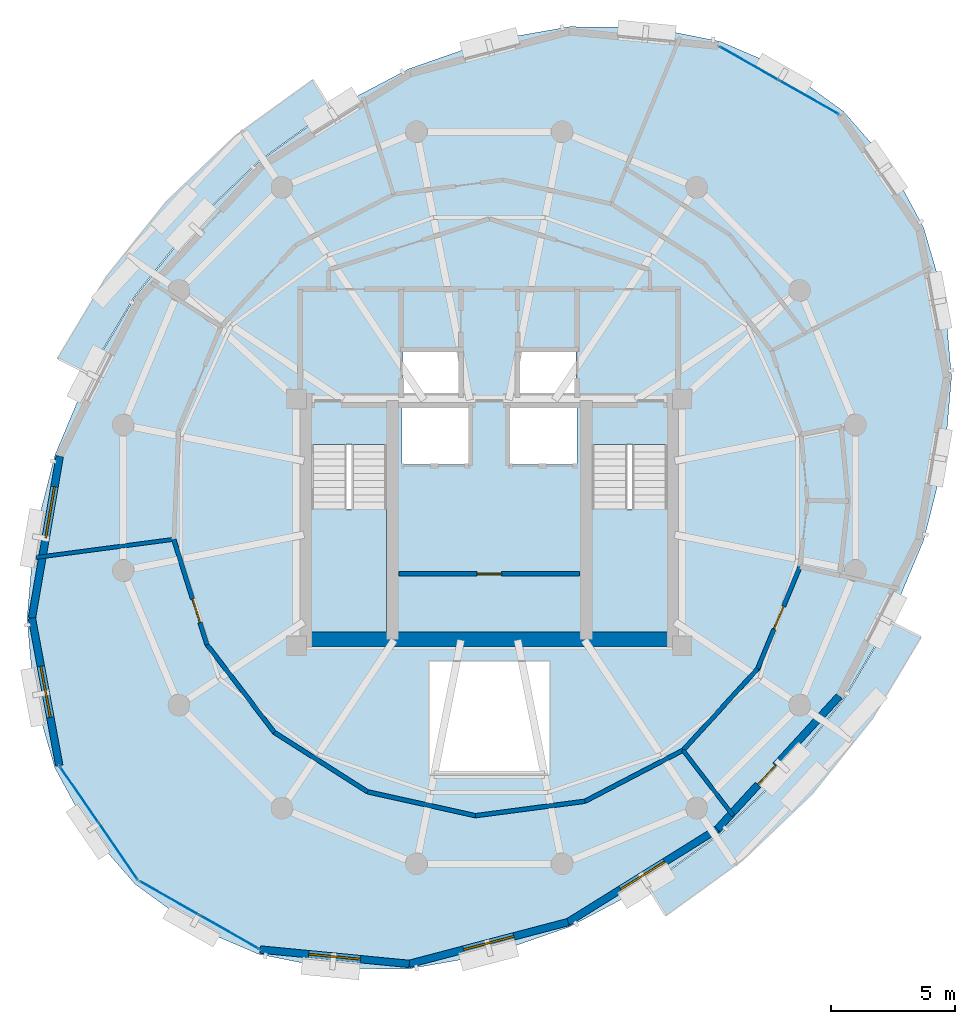
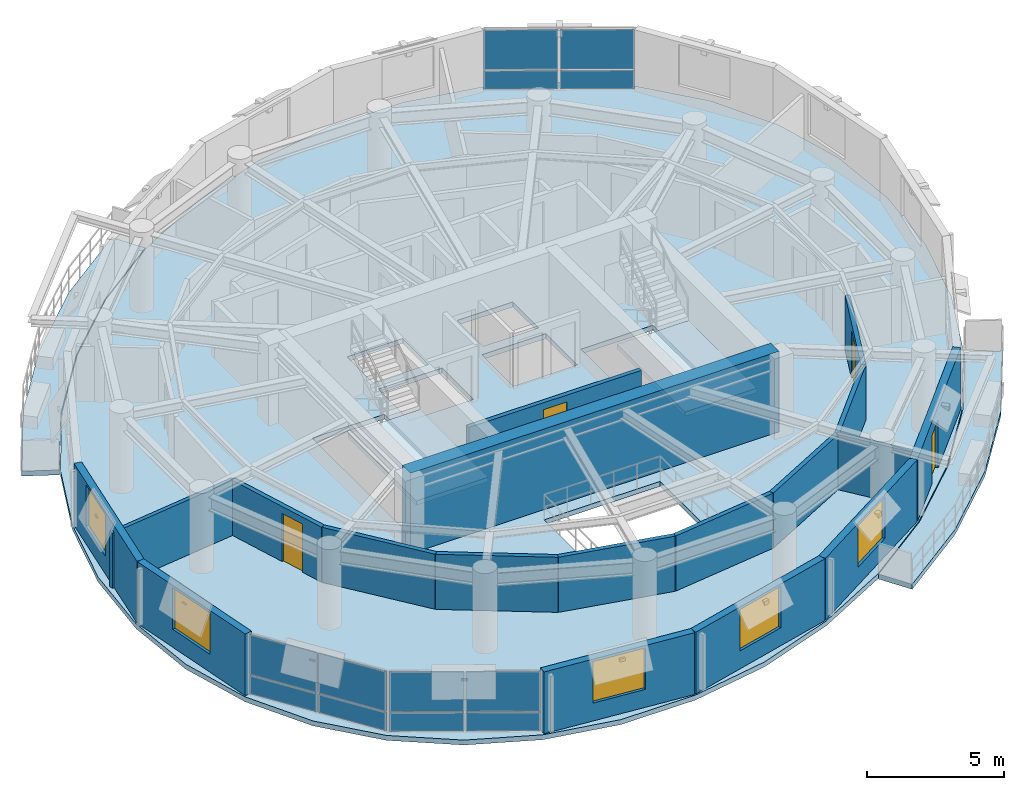
# One storey, part 7 of 12: 18 walls, 12 plates, 5 slabs, 5 windows, 4 doors, 9 openings, 5 elements without a shape of their own.
"""IFC4 building model written with IfcOpenShell, lengths in metres."""

from ifc_helpers import new_model, si_unit, direction, frame, frame_2d, origin, origin_2d, place, context, subcontext, project, spatial, polyline, rectangle, outline, extrude, material, layer, layer_set, type_object, element, fill, aggregate, save


model = new_model("IFC4")

# Units and contexts
model_context = context("Model", 3, precision=1e-05, world=origin(), true_north=direction((0.0, 1.0)))
body_context = subcontext(model_context, "Body", "Model", "MODEL_VIEW")
ifc_project = project(units=[si_unit("LENGTHUNIT", "METRE"), si_unit("AREAUNIT", "SQUARE_METRE"), si_unit("VOLUMEUNIT", "CUBIC_METRE"), si_unit("PLANEANGLEUNIT", "RADIAN"), si_unit("MASSUNIT", "GRAM", prefix="KILO"), si_unit("THERMODYNAMICTEMPERATUREUNIT", "KELVIN"), si_unit("POWERUNIT", "WATT")], contexts=[model_context])

# Site, building, storey
site_placement = place(None, origin())
site = spatial("IfcSite", under=ifc_project, at=site_placement, CompositionType="ELEMENT")
building_placement = place(site_placement, origin())
building = spatial("IfcBuilding", under=site, at=building_placement, Name="Ocrelia Relay Tower", CompositionType="ELEMENT")
storey_placement = place(building_placement, frame((0.0, 0.0, 230.39990234375)))
storey = spatial("IfcBuildingStorey", under=building, at=storey_placement, Name="L56", CompositionType="ELEMENT", Elevation=230.39990234375)

# Curtain wall, plates
ifc_material_1 = material(Name="Aluminium and solar-control low-E glass", Category="aluminium")
ifc_layer_1 = layer(ifc_material_1, 0.179931640625, Name="Aluminium and solar-control low-E glass")
ifc_layer_set_1 = layer_set([ifc_layer_1], Name="Aluminium and solar-control low-E glass")
curtain_wall_type = type_object("IfcCurtainWallType", Name="CW-SYS-Z4-EXEC", PredefinedType="NOTDEFINED", material=ifc_layer_set_1)
curtain_wall_1_placement = place(storey_placement, origin())
curtain_wall_1 = element("IfcCurtainWall", 1, at=curtain_wall_1_placement, inside=storey, type_object=curtain_wall_type, Name="L56 Elliptical Tower Curtain Wall Bay 01", PredefinedType="NOTDEFINED")
ifc_material_2 = material(Name="Clear double-glazed low-E glass", Category="glass")
ifc_layer_2 = layer(ifc_material_2, 0.031982421875, Name="Clear double-glazed low-E glass")
ifc_layer_set_2 = layer_set([ifc_layer_2], Name="Clear double-glazed low-E glass")
plate_type = type_object("IfcPlateType", Name="CW-SYS-Z4-EXEC-PNL", PredefinedType="CURTAIN_PANEL", material=ifc_layer_set_2)
plate_1_placement = place(storey_placement, frame((46.9443359375, 42.1875, 0.06005859375), z_axis=(0.0, 0.0, 1.0), x_axis=(-0.869945755345, 0.493147424972, 0.0)))
plate_1 = element("IfcPlate", 2, at=plate_1_placement, type_object=plate_type, Name="CW-Z4 panel 1.1", PredefinedType="CURTAIN_PANEL", context=body_context, shape_type="SweptSolid", body=[
    extrude(rectangle(XDim=2.7275390625, YDim=0.031982421875, at=origin_2d()), origin(), (0.0, 0.0, 1.0), 0.81005859375),
])
plate_2_placement = place(storey_placement, frame((46.9443359375, 42.1875, 0.93017578125), z_axis=(0.0, 0.0, 1.0), x_axis=(-0.869945755345, 0.493147424972, 0.0)))
plate_2 = element("IfcPlate", 3, at=plate_2_placement, type_object=plate_type, Name="CW-Z4 panel 1.2", PredefinedType="CURTAIN_PANEL", context=body_context, shape_type="SweptSolid", body=[
    extrude(rectangle(XDim=2.7275390625, YDim=0.031982421875, at=origin_2d()), origin(), (0.0, 0.0, 1.0), 1.77001953125),
])
plate_3_placement = place(storey_placement, frame((44.514892578125, 43.564697265625, 0.06005859375), z_axis=(0.0, 0.0, 1.0), x_axis=(-0.869945755345, 0.493147424972, 0.0)))
plate_3 = element("IfcPlate", 4, at=plate_3_placement, type_object=plate_type, Name="CW-Z4 panel 2.1", PredefinedType="CURTAIN_PANEL", context=body_context, shape_type="SweptSolid", body=[
    extrude(rectangle(XDim=2.7275390625, YDim=0.031982421875, at=origin_2d()), origin(), (0.0, 0.0, 1.0), 0.81005859375),
])
plate_4_placement = place(storey_placement, frame((44.514892578125, 43.564697265625, 0.93017578125), z_axis=(0.0, 0.0, 1.0), x_axis=(-0.869945755345, 0.493147424972, 0.0)))
plate_4 = element("IfcPlate", 5, at=plate_4_placement, type_object=plate_type, Name="CW-Z4 panel 2.2", PredefinedType="CURTAIN_PANEL", context=body_context, shape_type="SweptSolid", body=[
    extrude(rectangle(XDim=2.7275390625, YDim=0.031982421875, at=origin_2d()), origin(), (0.0, 0.0, 1.0), 1.77001953125),
])
aggregate(curtain_wall_1, [plate_1, plate_2, plate_3, plate_4])

curtain_wall_2_placement = place(storey_placement, origin())
curtain_wall_2 = element("IfcCurtainWall", 6, at=curtain_wall_2_placement, inside=storey, type_object=curtain_wall_type, Name="L56 Elliptical Tower Curtain Wall Bay 09", PredefinedType="NOTDEFINED")
plate_5_placement = place(storey_placement, frame((17.418701171875, 13.994140625, 0.06005859375), z_axis=(0.0, 0.0, 1.0), x_axis=(0.567086774101, -0.823658054438, 0.0)))
plate_5 = element("IfcPlate", 7, at=plate_5_placement, type_object=plate_type, Name="CW-Z4 panel 1.1", PredefinedType="CURTAIN_PANEL", context=body_context, shape_type="SweptSolid", body=[
    extrude(rectangle(XDim=2.7275390625, YDim=0.031982421875, at=origin_2d()), origin(), (0.0, 0.0, 1.0), 0.81005859375),
])
plate_6_placement = place(storey_placement, frame((17.418701171875, 13.994140625, 0.93017578125), z_axis=(0.0, 0.0, 1.0), x_axis=(0.567086774101, -0.823658054438, 0.0)))
plate_6 = element("IfcPlate", 8, at=plate_6_placement, type_object=plate_type, Name="CW-Z4 panel 1.2", PredefinedType="CURTAIN_PANEL", context=body_context, shape_type="SweptSolid", body=[
    extrude(rectangle(XDim=2.7275390625, YDim=0.031982421875, at=origin_2d()), origin(), (0.0, 0.0, 1.0), 1.77001953125),
])
plate_7_placement = place(storey_placement, frame((19.00244140625, 11.694091796875, 0.06005859375), z_axis=(0.0, 0.0, 1.0), x_axis=(0.567086774101, -0.823658054438, 0.0)))
plate_7 = element("IfcPlate", 9, at=plate_7_placement, type_object=plate_type, Name="CW-Z4 panel 2.1", PredefinedType="CURTAIN_PANEL", context=body_context, shape_type="SweptSolid", body=[
    extrude(rectangle(XDim=2.7275390625, YDim=0.031982421875, at=origin_2d()), origin(), (0.0, 0.0, 1.0), 0.81005859375),
])
plate_8_placement = place(storey_placement, frame((19.00244140625, 11.694091796875, 0.93017578125), z_axis=(0.0, 0.0, 1.0), x_axis=(0.567086774101, -0.823658054438, 0.0)))
plate_8 = element("IfcPlate", 10, at=plate_8_placement, type_object=plate_type, Name="CW-Z4 panel 2.2", PredefinedType="CURTAIN_PANEL", context=body_context, shape_type="SweptSolid", body=[
    extrude(rectangle(XDim=2.7275390625, YDim=0.031982421875, at=origin_2d()), origin(), (0.0, 0.0, 1.0), 1.77001953125),
])
aggregate(curtain_wall_2, [plate_5, plate_6, plate_7, plate_8])

curtain_wall_3_placement = place(storey_placement, origin())
curtain_wall_3 = element("IfcCurtainWall", 11, at=curtain_wall_3_placement, inside=storey, type_object=curtain_wall_type, Name="L56 Elliptical Tower Curtain Wall Bay 10", PredefinedType="NOTDEFINED")
plate_9_placement = place(storey_placement, frame((21.0556640625, 9.8125, 0.06005859375), z_axis=(0.0, 0.0, 1.0), x_axis=(0.869945755345, -0.493147424972, 0.0)))
plate_9 = element("IfcPlate", 12, at=plate_9_placement, type_object=plate_type, Name="CW-Z4 panel 1.1", PredefinedType="CURTAIN_PANEL", context=body_context, shape_type="SweptSolid", body=[
    extrude(rectangle(XDim=2.7275390625, YDim=0.031982421875, at=origin_2d()), origin(), (0.0, 0.0, 1.0), 0.81005859375),
])
plate_10_placement = place(storey_placement, frame((21.0556640625, 9.8125, 0.93017578125), z_axis=(0.0, 0.0, 1.0), x_axis=(0.869945755345, -0.493147424972, 0.0)))
plate_10 = element("IfcPlate", 13, at=plate_10_placement, type_object=plate_type, Name="CW-Z4 panel 1.2", PredefinedType="CURTAIN_PANEL", context=body_context, shape_type="SweptSolid", body=[
    extrude(rectangle(XDim=2.7275390625, YDim=0.031982421875, at=origin_2d()), origin(), (0.0, 0.0, 1.0), 1.77001953125),
])
plate_11_placement = place(storey_placement, frame((23.485107421875, 8.435302734375, 0.06005859375), z_axis=(0.0, 0.0, 1.0), x_axis=(0.869945755345, -0.493147424972, 0.0)))
plate_11 = element("IfcPlate", 14, at=plate_11_placement, type_object=plate_type, Name="CW-Z4 panel 2.1", PredefinedType="CURTAIN_PANEL", context=body_context, shape_type="SweptSolid", body=[
    extrude(rectangle(XDim=2.7275390625, YDim=0.031982421875, at=origin_2d()), origin(), (0.0, 0.0, 1.0), 0.81005859375),
])
plate_12_placement = place(storey_placement, frame((23.485107421875, 8.435302734375, 0.93017578125), z_axis=(0.0, 0.0, 1.0), x_axis=(0.869945755345, -0.493147424972, 0.0)))
plate_12 = element("IfcPlate", 15, at=plate_12_placement, type_object=plate_type, Name="CW-Z4 panel 2.2", PredefinedType="CURTAIN_PANEL", context=body_context, shape_type="SweptSolid", body=[
    extrude(rectangle(XDim=2.7275390625, YDim=0.031982421875, at=origin_2d()), origin(), (0.0, 0.0, 1.0), 1.77001953125),
])
aggregate(curtain_wall_3, [plate_9, plate_10, plate_11, plate_12])

# Slabs
ifc_material_3 = material(Name="Precast concrete C40/50", Category="concrete")
ifc_layer_3 = layer(ifc_material_3, 0.219970703125, Name="Precast concrete C40/50")
ifc_layer_set_3 = layer_set([ifc_layer_3], Name="Precast concrete C40/50")
slab_type_1 = type_object("IfcSlabType", Name="SL-BALC-220", PredefinedType="FLOOR", material=ifc_layer_set_3)
slab_1_placement = place(storey_placement, frame((0.0, 0.0, -0.219970703125)))
element("IfcSlab", 16, at=slab_1_placement, inside=storey, type_object=slab_type_1, Name="L56 Planted Loggia Balcony B1", PredefinedType="FLOOR", context=body_context, shape_type="SweptSolid", body=[
    extrude(outline(polyline([(27.58984375, 41.719482421875), (26.111328125, 40.65087890625), (24.6328125, 39.58203125), (21.960205078125, 37.032470703125), (19.6533203125, 34.147705078125), (18.71728515625, 32.581787109375), (17.78173828125, 31.015625), (16.5380859375, 31.644287109375), (17.523193359375, 33.293212890625), (18.508544921875, 34.942138671875), (20.93310546875, 37.9736328125), (23.74169921875, 40.6533203125), (25.298583984375, 41.7783203125), (26.855224609375, 42.903564453125), (27.58984375, 41.719482421875)])), origin(), (0.0, 0.0, 1.0), 0.219970703125),
])
slab_2_placement = place(storey_placement, frame((0.0, 0.0, -0.219970703125)))
element("IfcSlab", 17, at=slab_2_placement, inside=storey, type_object=slab_type_1, Name="L56 Planted Loggia Balcony B2", PredefinedType="FLOOR", context=body_context, shape_type="SweptSolid", body=[
    extrude(outline(polyline([(40.41015625, 10.280517578125), (41.888671875, 11.34912109375), (43.3671875, 12.41796875), (46.039794921875, 14.967529296875), (48.3466796875, 17.852294921875), (49.28271484375, 19.418212890625), (50.21826171875, 20.984375), (51.4619140625, 20.355712890625), (50.476806640625, 18.706787109375), (49.491455078125, 17.057861328125), (47.06689453125, 14.0263671875), (44.25830078125, 11.3466796875), (42.701416015625, 10.2216796875), (41.144775390625, 9.096435546875), (40.41015625, 10.280517578125)])), origin(), (0.0, 0.0, 1.0), 0.219970703125),
])
ifc_material_4 = material(Name="Concrete C50/60", Category="concrete")
ifc_layer_4 = layer(ifc_material_4, 0.219970703125, Name="Concrete C50/60")
ifc_layer_set_4 = layer_set([ifc_layer_4], Name="Concrete C50/60")
slab_type_2 = type_object("IfcSlabType", Name="SL-FLR-220", PredefinedType="FLOOR", material=ifc_layer_set_4)
slab_3_placement = place(storey_placement, frame((0.0, 0.0, -0.219970703125)))
element("IfcSlab", 18, at=slab_3_placement, inside=storey, type_object=slab_type_2, Name="L56 Elliptical Tower Floor Slab", PredefinedType="FLOOR", context=body_context, shape_type="SweptSolid", body=[
    extrude(outline(polyline([(48.322509765625, 41.63037109375), (46.01806640625, 43.30517578125), (43.348388671875, 44.4541015625), (40.394775390625, 45.042236328125), (37.246826171875, 45.052001953125), (34.000244140625, 44.482666015625), (30.753662109375, 43.351806640625), (27.605712890625, 41.69384765625), (24.652099609375, 39.55908203125), (21.982421875, 37.01220703125), (19.677978515625, 34.130615234375), (17.80859375, 31.002197265625), (16.43115234375, 27.7216796875), (15.587646484375, 24.388916015625), (15.303466796875, 21.10498046875), (15.58740234375, 17.9697265625), (16.430908203125, 15.07861328125), (17.80810546875, 12.519287109375), (19.677490234375, 10.36962890625), (21.98193359375, 8.69482421875), (24.651611328125, 7.5458984375), (27.605224609375, 6.957763671875), (30.753173828125, 6.947998046875), (33.999755859375, 7.517333984375), (37.246337890625, 8.648193359375), (40.394287109375, 10.30615234375), (43.347900390625, 12.44091796875), (46.017578125, 14.98779296875), (48.322021484375, 17.869384765625), (50.19140625, 20.997802734375), (51.56884765625, 24.2783203125), (52.412353515625, 27.611083984375), (52.696533203125, 30.89501953125), (52.41259765625, 34.0302734375), (51.569091796875, 36.92138671875), (50.19189453125, 39.480712890625), (48.322509765625, 41.63037109375)]), holes=[polyline([(26.81005859375, 28.14990234375), (26.81005859375, 20.550048828125), (29.85009765625, 20.550048828125), (29.85009765625, 28.14990234375), (26.81005859375, 28.14990234375)]), polyline([(38.159912109375, 28.14990234375), (38.159912109375, 20.550048828125), (41.199951171875, 20.550048828125), (41.199951171875, 28.14990234375), (38.159912109375, 28.14990234375)]), polyline([(30.4599609375, 27.35009765625), (33.159912109375, 27.35009765625), (33.159912109375, 29.64990234375), (30.4599609375, 29.64990234375), (30.4599609375, 27.35009765625)]), polyline([(34.840087890625, 27.35009765625), (37.5400390625, 27.35009765625), (37.5400390625, 29.64990234375), (34.840087890625, 29.64990234375), (34.840087890625, 27.35009765625)]), polyline([(30.5, 30.10009765625), (32.85009765625, 30.10009765625), (32.85009765625, 32.0), (30.5, 32.0), (30.5, 30.10009765625)]), polyline([(35.14990234375, 30.10009765625), (37.5, 30.10009765625), (37.5, 32.0), (35.14990234375, 32.0), (35.14990234375, 30.10009765625)]), polyline([(31.550048828125, 14.800048828125), (36.449951171875, 14.800048828125), (36.449951171875, 19.39990234375), (31.550048828125, 19.39990234375), (31.550048828125, 14.800048828125)])]), origin(), (0.0, 0.0, 1.0), 0.219970703125),
])

# Stair, slab
stair_type = type_object("IfcStairType", Name="ST-DL-1420-R180", PredefinedType="HALF_TURN_STAIR", material=ifc_material_4)
stair_1_placement = place(storey_placement, origin())
stair_1 = element("IfcStair", 19, at=stair_1_placement, inside=storey, type_object=stair_type, Name="L56 West Core Exit Stair ST1", PredefinedType="HALF_TURN_STAIR")
ifc_layer_5 = layer(ifc_material_4, 0.199951171875, Name="Concrete C50/60")
ifc_layer_set_5 = layer_set([ifc_layer_5], Name="Concrete C50/60")
slab_type_3 = type_object("IfcSlabType", Name="SL-LANDING-200", PredefinedType="LANDING", material=ifc_layer_set_5)
slab_4_placement = place(storey_placement, frame((0.0, 0.0, 1.60009765625)))
slab_4 = element("IfcSlab", 20, at=slab_4_placement, type_object=slab_type_3, Name="ST1 landing 1", PredefinedType="LANDING", context=body_context, shape_type="SweptSolid", body=[
    extrude(outline(polyline([(26.81005859375, 25.5400390625), (26.81005859375, 20.550048828125), (29.85009765625, 20.550048828125), (29.85009765625, 25.5400390625), (26.81005859375, 25.5400390625)])), origin(), (0.0, 0.0, 1.0), 0.199951171875),
])
aggregate(stair_1, [slab_4])

stair_2_placement = place(storey_placement, origin())
stair_2 = element("IfcStair", 21, at=stair_2_placement, inside=storey, type_object=stair_type, Name="L56 East Core Exit Stair ST2", PredefinedType="HALF_TURN_STAIR")
slab_5_placement = place(storey_placement, frame((0.0, 0.0, 1.60009765625)))
slab_5 = element("IfcSlab", 22, at=slab_5_placement, type_object=slab_type_3, Name="ST2 landing 1", PredefinedType="LANDING", context=body_context, shape_type="SweptSolid", body=[
    extrude(outline(polyline([(38.159912109375, 25.5400390625), (38.159912109375, 20.550048828125), (41.199951171875, 20.550048828125), (41.199951171875, 25.5400390625), (38.159912109375, 25.5400390625)])), origin(), (0.0, 0.0, 1.0), 0.199951171875),
])
aggregate(stair_2, [slab_5])

# Wall
ifc_layer_6 = layer(ifc_material_4, 0.60009765625, Name="Concrete C50/60")
ifc_layer_set_6 = layer_set([ifc_layer_6], Name="Concrete C50/60")
wall_type_1 = type_object("IfcWallType", Name="CW-CORE-600B", PredefinedType="SHEAR", material=ifc_layer_set_6)
wall_1_placement = place(storey_placement, frame((26.221923828125, 20.261962890625, 0.0), z_axis=(0.0, 0.0, 1.0), x_axis=(1.0, 0.0, 0.0)))
element("IfcWall", 23, at=wall_1_placement, inside=storey, type_object=wall_type_1, Name="L56 Core Shear Wall S", PredefinedType="SHEAR", context=body_context, shape_type="SweptSolid", body=[
    extrude(rectangle(XDim=15.566162109375, YDim=0.60009765625, at=frame_2d((7.783203125, 0.0))), origin(), (0.0, 0.0, 1.0), 3.60009765625),
])

# Wall, opening, door
ifc_material_5 = material(Name="Gypsum Fireboard Partition EI60", Category="gypsum")
ifc_layer_7 = layer(ifc_material_5, 0.179931640625, Name="Gypsum Fireboard Partition EI60")
ifc_layer_set_7 = layer_set([ifc_layer_7], Name="Gypsum Fireboard Partition EI60")
wall_type_2 = type_object("IfcWallType", Name="W-CORR-EI60-180", PredefinedType="PARTITIONING", material=ifc_layer_set_7)
wall_2_placement = place(storey_placement, frame((30.35009765625, 22.919921875, 0.0), z_axis=(0.0, 0.0, 1.0), x_axis=(1.0, 0.0, 0.0)))
wall_2 = element("IfcWall", 24, at=wall_2_placement, inside=storey, type_object=wall_type_2, Name="L56 Reclaimed Core Room Partition", PredefinedType="PARTITIONING", context=body_context, shape_type="SweptSolid", body=[
    extrude(rectangle(XDim=7.2998046875, YDim=0.179931640625, at=frame_2d((3.64990234375, 0.0))), origin(), (0.0, 0.0, 1.0), 2.460205078125),
])
opening_1_placement = place(wall_2_placement, frame((3.14990234375, 0.0, 0.0)))
opening_1 = element("IfcOpeningElement", 25, at=opening_1_placement, cuts=wall_2, Name="Opening D-RM100", PredefinedType="OPENING", context=body_context, shape_type="SweptSolid", body=[
    extrude(rectangle(XDim=1.0, YDim=2.14990234375, at=frame_2d((0.5, 1.074951171875))), frame((0.0, 0.10009765625, 0.0), z_axis=(0.0, -1.0, 0.0), x_axis=(1.0, 0.0, 0.0)), (0.0, 0.0, 1.0), 0.199951171875),
])
ifc_material_6 = material(Name="Acoustic oak veneer fire door", Category="wood")
door_type_1 = type_object("IfcDoorType", Name="DR-ROOM-FD60-1000", OperationType="NOTDEFINED", PredefinedType="DOOR", material=ifc_material_6)
door_1_placement = place(opening_1_placement, origin())
door_1 = element("IfcDoor", 26, at=door_1_placement, inside=storey, type_object=door_type_1, Name="L56 Calibration Laboratory Door", OperationType="SINGLE_SWING_RIGHT", OverallHeight=2.14990234375, OverallWidth=1.0, PredefinedType="DOOR", context=body_context, shape_type="SweptSolid", body=[
    extrude(rectangle(XDim=1.0, YDim=2.14990234375, at=frame_2d((0.5, 1.074951171875))), frame((0.0, 0.02490234375, 0.0), z_axis=(0.0, -1.0, 0.0), x_axis=(1.0, 0.0, 0.0)), (0.0, 0.0, 1.0), 0.050048828125),
])
fill(opening_1, door_1)

wall_3_placement = place(storey_placement, frame((21.239990234375, 24.320068359375, 0.0), z_axis=(0.0, 0.0, 1.0), x_axis=(0.300749676553, -0.953703115258, 0.0)))
wall_3 = element("IfcWall", 27, at=wall_3_placement, inside=storey, type_object=wall_type_2, Name="L56 International Office F Corridor Partition 1", PredefinedType="PARTITIONING", context=body_context, shape_type="SweptSolid", body=[
    extrude(rectangle(XDim=4.4697265625, YDim=0.179931640625, at=frame_2d((2.23486328125, 0.0))), origin(), (0.0, 0.0, 1.0), 2.460205078125),
])
opening_2_placement = place(wall_3_placement, frame((2.52734375, 0.0, 0.0)))
opening_2 = element("IfcOpeningElement", 28, at=opening_2_placement, cuts=wall_3, Name="Opening D-RM100", PredefinedType="OPENING", context=body_context, shape_type="SweptSolid", body=[
    extrude(rectangle(XDim=1.0, YDim=2.14990234375, at=frame_2d((0.5, 1.074951171875))), frame((0.0, 0.10009765625, 0.0), z_axis=(0.0, -1.0, 0.0), x_axis=(1.0, 0.0, 0.0)), (0.0, 0.0, 1.0), 0.199951171875),
])
door_2_placement = place(opening_2_placement, origin())
door_2 = element("IfcDoor", 29, at=door_2_placement, inside=storey, type_object=door_type_1, Name="L56 International Office F Entrance Door", OperationType="SINGLE_SWING_LEFT", OverallHeight=2.14990234375, OverallWidth=1.0, PredefinedType="DOOR", context=body_context, shape_type="SweptSolid", body=[
    extrude(rectangle(XDim=1.0, YDim=2.14990234375, at=frame_2d((0.5, 1.074951171875))), frame((0.0, 0.02490234375, 0.0), z_axis=(0.0, -1.0, 0.0), x_axis=(1.0, 0.0, 0.0)), (0.0, 0.0, 1.0), 0.050048828125),
])
fill(opening_2, door_2)

# Walls
for number, where, z_axis, x_axis, name in (
    (30, (22.584228515625, 20.057373046875, 0.0), (0.0, 0.0, 1.0), (0.608746835117, -0.793364538365, 0.0), "L56 International Office F Corridor Partition 2"),
    (31, (25.30517578125, 16.51123046875, 0.0), (0.0, 0.0, 1.0), (0.843391492769, -0.53729953464, 0.0), "L56 International Office F Corridor Partition 3"),
    (32, (29.074951171875, 14.109619140625, 0.0), (0.0, 0.0, 1.0), (0.976291048481, -0.216461979699, 0.0), "L56 International Office F Corridor Partition 4"),
    (33, (33.438720703125, 13.14208984375, 0.0), (0.0, 0.0, 1.0), (0.991442206796, 0.130546354154, 0.0), "L56 International Office F Corridor Partition 5"),
    (34, (37.8701171875, 13.7255859375, 0.0), (0.0, 0.0, 1.0), (0.886999386077, 0.461770602247, 0.0), "L56 International Office F Corridor Partition 6"),
    (35, (41.834716796875, 15.78955078125, 0.0), (0.0, 0.0, 1.0), (0.675600949954, 0.737267493126, 0.0), "L56 Hospitality Servery Pantry Corridor Partition 1"),
):
    element("IfcWall", number, at=place(storey_placement, frame(where, z_axis=z_axis, x_axis=x_axis)), inside=storey, type_object=wall_type_2, Name=name, PredefinedType="PARTITIONING", context=body_context, shape_type="SweptSolid", body=[
        extrude(rectangle(XDim=4.4697265625, YDim=0.179931640625, at=frame_2d((2.23486328125, 0.0))), origin(), (0.0, 0.0, 1.0), 2.460205078125),
    ])

# Wall, opening, door
wall_4_placement = place(storey_placement, frame((44.8544921875, 19.0849609375, 0.0), z_axis=(0.0, 0.0, 1.0), x_axis=(0.382683050338, 0.923879690752, 0.0)))
wall_4 = element("IfcWall", 36, at=wall_4_placement, inside=storey, type_object=wall_type_2, Name="L56 Hospitality Servery Pantry Corridor Partition 2", PredefinedType="PARTITIONING", context=body_context, shape_type="SweptSolid", body=[
    extrude(rectangle(XDim=4.4697265625, YDim=0.179931640625, at=frame_2d((2.23486328125, 0.0))), origin(), (0.0, 0.0, 1.0), 2.460205078125),
])
opening_3_placement = place(wall_4_placement, frame((1.73486328125, 0.0, 0.0)))
opening_3 = element("IfcOpeningElement", 37, at=opening_3_placement, cuts=wall_4, Name="Opening D-RM100", PredefinedType="OPENING", context=body_context, shape_type="SweptSolid", body=[
    extrude(rectangle(XDim=1.0, YDim=2.14990234375, at=frame_2d((0.5, 1.074951171875))), frame((0.0, 0.10009765625, 0.0), z_axis=(0.0, -1.0, 0.0), x_axis=(1.0, 0.0, 0.0)), (0.0, 0.0, 1.0), 0.199951171875),
])
door_3_placement = place(opening_3_placement, origin())
door_3 = element("IfcDoor", 38, at=door_3_placement, inside=storey, type_object=door_type_1, Name="L56 Hospitality Servery Pantry Entrance Door", OperationType="SINGLE_SWING_RIGHT", OverallHeight=2.14990234375, OverallWidth=1.0, PredefinedType="DOOR", context=body_context, shape_type="SweptSolid", body=[
    extrude(rectangle(XDim=1.0, YDim=2.14990234375, at=frame_2d((0.5, 1.074951171875))), frame((0.0, 0.02490234375, 0.0), z_axis=(0.0, -1.0, 0.0), x_axis=(1.0, 0.0, 0.0)), (0.0, 0.0, 1.0), 0.050048828125),
])
fill(opening_3, door_3)

# Wall, opening, window
ifc_material_7 = material(Name="Precast concrete C40/50 with oxide terracotta", Category="masonry")
ifc_layer_8 = layer(ifc_material_7, 0.300048828125, Name="Precast concrete C40/50 with oxide terracotta")
ifc_layer_set_8 = layer_set([ifc_layer_8], Name="Precast concrete C40/50 with oxide terracotta")
wall_type_3 = type_object("IfcWallType", Name="W-EXT-TERR-300", PredefinedType="SOLIDWALL", material=ifc_layer_set_8)
wall_5_placement = place(storey_placement, frame((16.62646484375, 27.67822265625, 0.0), z_axis=(0.0, 0.0, 1.0), x_axis=(-0.169313685925, -0.985562213033, 0.0)))
wall_5 = element("IfcWall", 39, at=wall_5_placement, inside=storey, type_object=wall_type_3, Name="L56 Oxide Terracotta Facade Wall 07", PredefinedType="SOLIDWALL", context=body_context, shape_type="SweptSolid", body=[
    extrude(rectangle(XDim=6.64306640625, YDim=0.300048828125, at=frame_2d((3.321533203125, 0.0))), origin(), (0.0, 0.0, 1.0), 2.760009765625),
])
opening_4_placement = place(wall_5_placement, frame((1.2509765625, 0.0, 0.800048828125)))
opening_4 = element("IfcOpeningElement", 40, at=opening_4_placement, cuts=wall_5, Name="Opening W-07", PredefinedType="OPENING", context=body_context, shape_type="SweptSolid", body=[
    extrude(rectangle(XDim=2.10009765625, YDim=1.85009765625, at=frame_2d((1.050048828125, 0.925048828125))), frame((0.0, 0.16015625, 0.0), z_axis=(0.0, -1.0, 0.0), x_axis=(1.0, 0.0, 0.0)), (0.0, 0.0, 1.0), 0.320068359375),
])
window_type = type_object("IfcWindowType", Name="WIN-Z4-2100x2200", PartitioningType="DOUBLE_PANEL_VERTICAL", PredefinedType="WINDOW", material=ifc_material_2)
window_1_placement = place(opening_4_placement, origin())
window_1 = element("IfcWindow", 41, at=window_1_placement, inside=storey, type_object=window_type, Name="L56 Facade Module Window 07", OverallHeight=1.85009765625, OverallWidth=2.10009765625, PartitioningType="SINGLE_PANEL", PredefinedType="WINDOW", context=body_context, shape_type="SweptSolid", body=[
    extrude(rectangle(XDim=2.10009765625, YDim=1.85009765625, at=frame_2d((1.050048828125, 0.925048828125))), frame((0.0, 0.030029296875, 0.0), z_axis=(0.0, -1.0, 0.0), x_axis=(1.0, 0.0, 0.0)), (0.0, 0.0, 1.0), 0.06005859375),
])
fill(opening_4, window_1)

wall_6_placement = place(storey_placement, frame((15.501708984375, 21.131103515625, 0.0), z_axis=(0.0, 0.0, 1.0), x_axis=(0.182566609736, -0.983193487066, 0.0)))
wall_6 = element("IfcWall", 42, at=wall_6_placement, inside=storey, type_object=wall_type_3, Name="L56 Oxide Terracotta Facade Wall 08", PredefinedType="SOLIDWALL", context=body_context, shape_type="SweptSolid", body=[
    extrude(rectangle(XDim=6.061767578125, YDim=0.300048828125, at=frame_2d((3.03076171875, 0.0))), origin(), (0.0, 0.0, 1.0), 2.760009765625),
])
opening_5_placement = place(wall_6_placement, frame((1.98095703125, 0.0, 0.800048828125)))
opening_5 = element("IfcOpeningElement", 43, at=opening_5_placement, cuts=wall_6, Name="Opening W-07", PredefinedType="OPENING", context=body_context, shape_type="SweptSolid", body=[
    extrude(rectangle(XDim=2.10009765625, YDim=1.85009765625, at=frame_2d((1.050048828125, 0.925048828125))), frame((0.0, 0.16015625, 0.0), z_axis=(0.0, -1.0, 0.0), x_axis=(1.0, 0.0, 0.0)), (0.0, 0.0, 1.0), 0.320068359375),
])
window_2_placement = place(opening_5_placement, origin())
window_2 = element("IfcWindow", 44, at=window_2_placement, inside=storey, type_object=window_type, Name="L56 Facade Module Window 08", OverallHeight=1.85009765625, OverallWidth=2.10009765625, PartitioningType="SINGLE_PANEL", PredefinedType="WINDOW", context=body_context, shape_type="SweptSolid", body=[
    extrude(rectangle(XDim=2.10009765625, YDim=1.85009765625, at=frame_2d((1.050048828125, 0.925048828125))), frame((0.0, 0.030029296875, 0.0), z_axis=(0.0, -1.0, 0.0), x_axis=(1.0, 0.0, 0.0)), (0.0, 0.0, 1.0), 0.06005859375),
])
fill(opening_5, window_2)

wall_7_placement = place(storey_placement, frame((24.72802734375, 7.730712890625, 0.0), z_axis=(0.0, 0.0, 1.0), x_axis=(0.995368057739, -0.096137555791, 0.0)))
wall_7 = element("IfcWall", 45, at=wall_7_placement, inside=storey, type_object=wall_type_3, Name="L56 Oxide Terracotta Facade Wall 11", PredefinedType="SOLIDWALL", context=body_context, shape_type="SweptSolid", body=[
    extrude(rectangle(XDim=6.061767578125, YDim=0.300048828125, at=frame_2d((3.03076171875, 0.0))), origin(), (0.0, 0.0, 1.0), 2.760009765625),
])
opening_6_placement = place(wall_7_placement, frame((1.98095703125, 0.0, 0.800048828125)))
opening_6 = element("IfcOpeningElement", 46, at=opening_6_placement, cuts=wall_7, Name="Opening W-07", PredefinedType="OPENING", context=body_context, shape_type="SweptSolid", body=[
    extrude(rectangle(XDim=2.10009765625, YDim=1.85009765625, at=frame_2d((1.050048828125, 0.925048828125))), frame((0.0, 0.16015625, 0.0), z_axis=(0.0, -1.0, 0.0), x_axis=(1.0, 0.0, 0.0)), (0.0, 0.0, 1.0), 0.320068359375),
])
window_3_placement = place(opening_6_placement, origin())
window_3 = element("IfcWindow", 47, at=window_3_placement, inside=storey, type_object=window_type, Name="L56 Facade Module Window 11", OverallHeight=1.85009765625, OverallWidth=2.10009765625, PartitioningType="SINGLE_PANEL", PredefinedType="WINDOW", context=body_context, shape_type="SweptSolid", body=[
    extrude(rectangle(XDim=2.10009765625, YDim=1.85009765625, at=frame_2d((1.050048828125, 0.925048828125))), frame((0.0, 0.030029296875, 0.0), z_axis=(0.0, -1.0, 0.0), x_axis=(1.0, 0.0, 0.0)), (0.0, 0.0, 1.0), 0.06005859375),
])
fill(opening_6, window_3)

wall_8_placement = place(storey_placement, frame((30.76171875, 7.14794921875, 0.0), z_axis=(0.0, 0.0, 1.0), x_axis=(0.967065492063, 0.254527668555, 0.0)))
wall_8 = element("IfcWall", 48, at=wall_8_placement, inside=storey, type_object=wall_type_3, Name="L56 Oxide Terracotta Facade Wall 12", PredefinedType="SOLIDWALL", context=body_context, shape_type="SweptSolid", body=[
    extrude(rectangle(XDim=6.643310546875, YDim=0.300048828125, at=frame_2d((3.32177734375, 0.0))), origin(), (0.0, 0.0, 1.0), 2.760009765625),
])
opening_7_placement = place(wall_8_placement, frame((2.27197265625, 0.0, 0.800048828125)))
opening_7 = element("IfcOpeningElement", 49, at=opening_7_placement, cuts=wall_8, Name="Opening W-07", PredefinedType="OPENING", context=body_context, shape_type="SweptSolid", body=[
    extrude(rectangle(XDim=2.10009765625, YDim=1.85009765625, at=frame_2d((1.050048828125, 0.925048828125))), frame((0.0, 0.16015625, 0.0), z_axis=(0.0, -1.0, 0.0), x_axis=(1.0, 0.0, 0.0)), (0.0, 0.0, 1.0), 0.320068359375),
])
window_4_placement = place(opening_7_placement, origin())
window_4 = element("IfcWindow", 50, at=window_4_placement, inside=storey, type_object=window_type, Name="L56 Facade Module Window 12", OverallHeight=1.85009765625, OverallWidth=2.10009765625, PartitioningType="SINGLE_PANEL", PredefinedType="WINDOW", context=body_context, shape_type="SweptSolid", body=[
    extrude(rectangle(XDim=2.10009765625, YDim=1.85009765625, at=frame_2d((1.050048828125, 0.925048828125))), frame((0.0, 0.030029296875, 0.0), z_axis=(0.0, -1.0, 0.0), x_axis=(1.0, 0.0, 0.0)), (0.0, 0.0, 1.0), 0.06005859375),
])
fill(opening_7, window_4)

wall_9_placement = place(storey_placement, frame((37.186279296875, 8.8388671875, 0.0), z_axis=(0.0, 0.0, 1.0), x_axis=(0.848899232852, 0.528554720406, 0.0)))
wall_9 = element("IfcWall", 51, at=wall_9_placement, inside=storey, type_object=wall_type_3, Name="L56 Oxide Terracotta Facade Wall 13", PredefinedType="SOLIDWALL", context=body_context, shape_type="SweptSolid", body=[
    extrude(rectangle(XDim=7.115234375, YDim=0.300048828125, at=frame_2d((3.5576171875, 0.0))), origin(), (0.0, 0.0, 1.0), 2.760009765625),
])
opening_8_placement = place(wall_9_placement, frame((2.508056640625, 0.0, 0.800048828125)))
opening_8 = element("IfcOpeningElement", 52, at=opening_8_placement, cuts=wall_9, Name="Opening W-07", PredefinedType="OPENING", context=body_context, shape_type="SweptSolid", body=[
    extrude(rectangle(XDim=2.10009765625, YDim=1.85009765625, at=frame_2d((1.050048828125, 0.925048828125))), frame((0.0, 0.16015625, 0.0), z_axis=(0.0, -1.0, 0.0), x_axis=(1.0, 0.0, 0.0)), (0.0, 0.0, 1.0), 0.320068359375),
])
window_5_placement = place(opening_8_placement, origin())
window_5 = element("IfcWindow", 53, at=window_5_placement, inside=storey, type_object=window_type, Name="L56 Facade Module Window 13", OverallHeight=1.85009765625, OverallWidth=2.10009765625, PartitioningType="SINGLE_PANEL", PredefinedType="WINDOW", context=body_context, shape_type="SweptSolid", body=[
    extrude(rectangle(XDim=2.10009765625, YDim=1.85009765625, at=frame_2d((1.050048828125, 0.925048828125))), frame((0.0, 0.030029296875, 0.0), z_axis=(0.0, -1.0, 0.0), x_axis=(1.0, 0.0, 0.0)), (0.0, 0.0, 1.0), 0.06005859375),
])
fill(opening_8, window_5)

# Wall, opening, door
wall_10_placement = place(storey_placement, frame((43.226318359375, 12.599609375, 0.0), z_axis=(0.0, 0.0, 1.0), x_axis=(0.675568478711, 0.737297247094, 0.0)))
wall_10 = element("IfcWall", 54, at=wall_10_placement, inside=storey, type_object=wall_type_3, Name="L56 Oxide Terracotta Facade Wall 14", PredefinedType="SOLIDWALL", context=body_context, shape_type="SweptSolid", body=[
    extrude(rectangle(XDim=7.293212890625, YDim=0.300048828125, at=frame_2d((3.646484375, 0.0))), origin(), (0.0, 0.0, 1.0), 2.760009765625),
])
opening_9_placement = place(wall_10_placement, frame((2.429931640625, 0.0, 0.0)))
opening_9 = element("IfcOpeningElement", 55, at=opening_9_placement, cuts=wall_10, Name="Opening DB-105", PredefinedType="OPENING", context=body_context, shape_type="SweptSolid", body=[
    extrude(rectangle(XDim=1.050048828125, YDim=2.14990234375, at=frame_2d((0.52490234375, 1.074951171875))), frame((0.0, 0.16015625, 0.0), z_axis=(0.0, -1.0, 0.0), x_axis=(1.0, 0.0, 0.0)), (0.0, 0.0, 1.0), 0.320068359375),
])
ifc_material_8 = material(Name="Thermally broken aluminium and clear glass", Category="aluminium")
door_type_2 = type_object("IfcDoorType", Name="DR-BALC-1050", OperationType="NOTDEFINED", PredefinedType="DOOR", material=ifc_material_8)
door_4_placement = place(opening_9_placement, origin())
door_4 = element("IfcDoor", 56, at=door_4_placement, inside=storey, type_object=door_type_2, Name="L56 Planted Loggia Balcony Door B2", OperationType="SINGLE_SWING_LEFT", OverallHeight=2.14990234375, OverallWidth=1.050048828125, PredefinedType="DOOR", context=body_context, shape_type="SweptSolid", body=[
    extrude(rectangle(XDim=1.050048828125, YDim=2.14990234375, at=frame_2d((0.52490234375, 1.074951171875))), frame((0.0, 0.02490234375, 0.0), z_axis=(0.0, -1.0, 0.0), x_axis=(1.0, 0.0, 0.0)), (0.0, 0.0, 1.0), 0.050048828125),
])
fill(opening_9, door_4)

# Walls
ifc_material_9 = material(Name="Acoustic Fireboard Partition EI60", Category="gypsum")
ifc_layer_9 = layer(ifc_material_9, 0.159912109375, Name="Acoustic Fireboard Partition EI60")
ifc_layer_set_9 = layer_set([ifc_layer_9], Name="Acoustic Fireboard Partition EI60")
wall_type_4 = type_object("IfcWallType", Name="W-PART-160", PredefinedType="PARTITIONING", material=ifc_layer_set_9)
wall_11_placement = place(storey_placement, frame((21.239990234375, 24.320068359375, 0.0), z_axis=(0.0, 0.0, 1.0), x_axis=(-0.991446162856, -0.130516306102, 0.0)))
element("IfcWall", 57, at=wall_11_placement, inside=storey, type_object=wall_type_4, Name="L56 Strategy Office E Radial Partition", PredefinedType="PARTITIONING", context=body_context, shape_type="SweptSolid", body=[
    extrude(rectangle(XDim=5.62109375, YDim=0.159912109375, at=frame_2d((2.810546875, 0.0))), origin(), (0.0, 0.0, 1.0), 2.460205078125),
])
wall_12_placement = place(storey_placement, frame((41.834716796875, 15.78955078125, 0.0), z_axis=(0.0, 0.0, 1.0), x_axis=(0.608782311983, -0.793337315785, 0.0)))
element("IfcWall", 58, at=wall_12_placement, inside=storey, type_object=wall_type_4, Name="L56 International Office F Radial Partition", PredefinedType="PARTITIONING", context=body_context, shape_type="SweptSolid", body=[
    extrude(rectangle(XDim=3.3310546875, YDim=0.159912109375, at=frame_2d((1.66552734375, 0.0))), origin(), (0.0, 0.0, 1.0), 2.460205078125),
])

save(model, "model.ifc")
